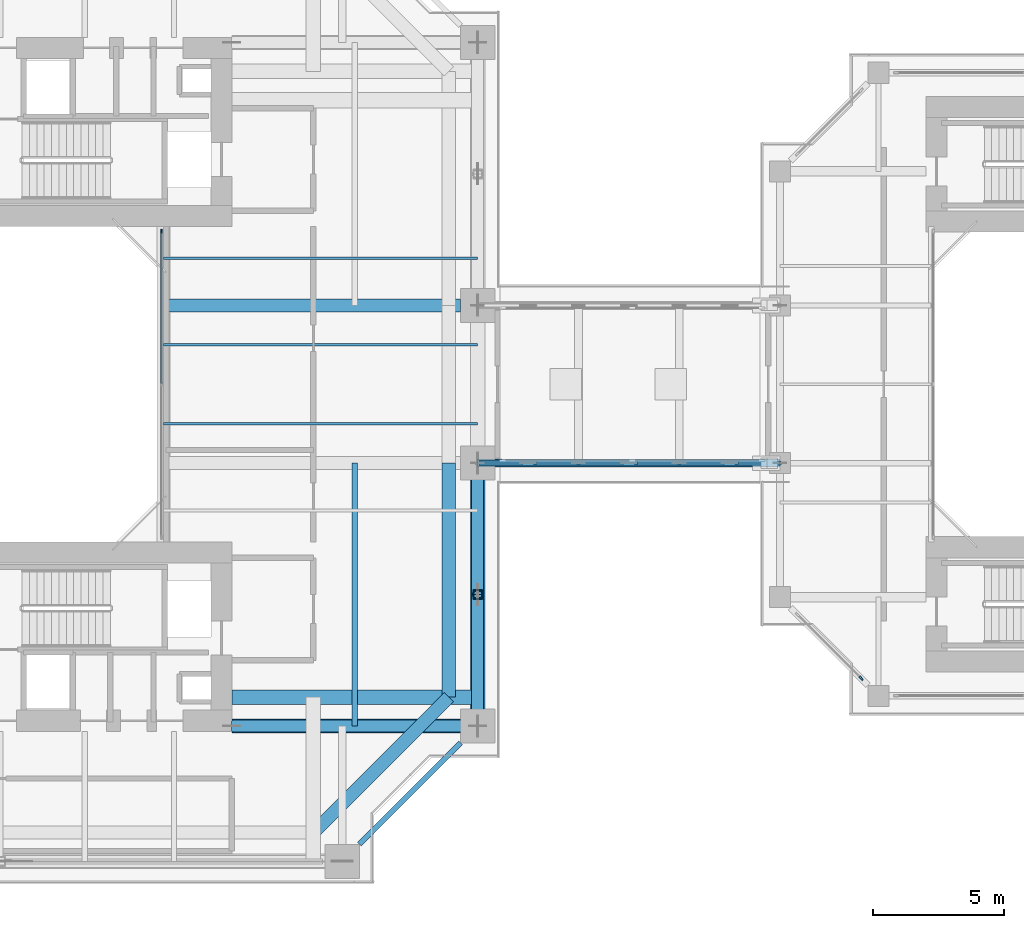
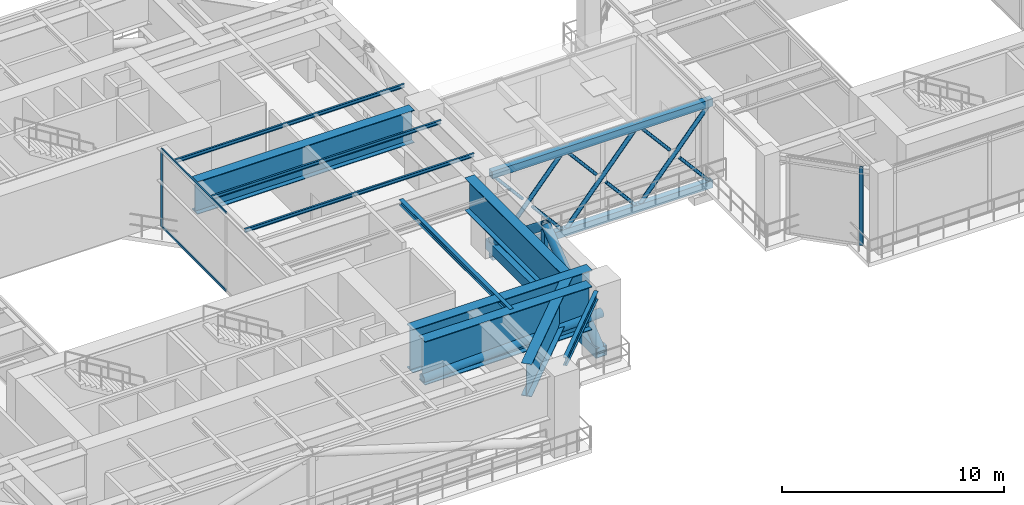
# One storey, part 5 of 25: 20 members, 10 beams, 2 elements without a shape of their own.
"""IFC4 building model written with IfcOpenShell, lengths in metres."""

from ifc_helpers import new_model, si_unit, direction, frame, origin, origin_2d, place, context, subcontext, project, spatial, rectangle, hollow_rectangle, hollow_circle, i_section, extrude, source, transform, mapped, material, layer, layer_set, material_profile, profile_set, type_object, element, aggregate, save


model = new_model("IFC4")

# Units and contexts
model_context = context("Model", 3, precision=1e-05, world=origin(), true_north=direction((0.0, 1.0)))
body_context = subcontext(model_context, "Body", "Model", "MODEL_VIEW")
ifc_project = project(units=[si_unit("LENGTHUNIT", "METRE"), si_unit("AREAUNIT", "SQUARE_METRE"), si_unit("VOLUMEUNIT", "CUBIC_METRE"), si_unit("PLANEANGLEUNIT", "RADIAN"), si_unit("MASSUNIT", "GRAM", prefix="KILO"), si_unit("THERMODYNAMICTEMPERATUREUNIT", "KELVIN"), si_unit("POWERUNIT", "WATT")], contexts=[model_context])

# Site, building, storey
site_placement = place(None, origin())
site = spatial("IfcSite", under=ifc_project, at=site_placement, CompositionType="ELEMENT")
building_placement = place(site_placement, origin())
building = spatial("IfcBuilding", under=site, at=building_placement, Name="Qiaomeng Ring Towers", CompositionType="ELEMENT")
storey_placement = place(building_placement, frame((0.0, 0.0, 92.5)))
storey = spatial("IfcBuildingStorey", under=building, at=storey_placement, Name="L26", CompositionType="ELEMENT", Elevation=92.5)

# Beams
ifc_material_1 = material(Name="Steel Q355B", Category="steel")
ifc_material_profile_1 = material_profile(ifc_material_1, i_section(OverallWidth=0.199951171875, OverallDepth=0.449951171875, WebThickness=0.009033203125, FlangeThickness=0.013916015625, FilletRadius=0.01806640625, at=origin_2d()), Name="HN 450x200x9x14")
ifc_profile_set_1 = profile_set([ifc_material_profile_1], Name="Steel Q355B")
beam_type_1 = type_object("IfcBeamType", Name="STR-BM-HN450", PredefinedType="SPANDREL", material=ifc_profile_set_1)
shared_shape_1 = source(origin(), body_context, "Body", "SweptSolid", [
    extrude(i_section(OverallWidth=0.199951171875, OverallDepth=0.449951171875, WebThickness=0.009033203125, FlangeThickness=0.013916015625, FilletRadius=0.01806640625, at=origin_2d()), origin(), (0.0, 0.0, 1.0), 5.446533203125),
])
beam_1_placement = place(storey_placement, frame((32.6494140625, 5.499267578125, 4.094970703125), z_axis=(0.707106781187, 0.707106781187, 0.0), x_axis=(-0.707106781187, 0.707106781187, 0.0)))
element("IfcBeam", 1, at=beam_1_placement, inside=storey, type_object=beam_type_1, Name="L26 beam STR-SP-L26-T1-S2-E1", PredefinedType="SPANDREL", context=body_context, shape_type="MappedRepresentation", body=[
    mapped(shared_shape_1, transform((0.0, 0.0, 0.0), x_axis=(1.0, 0.0, 0.0), y_axis=(0.0, 1.0, 0.0), z_axis=(0.0, 0.0, 1.0), scale=1.0)),
])
ifc_material_profile_2 = material_profile(ifc_material_1, i_section(OverallWidth=0.10009765625, OverallDepth=0.199951171875, WebThickness=0.005615234375, FlangeThickness=0.008056640625, FilletRadius=0.010986328125, at=origin_2d()), Name="HN 200x100x5.5x8")
ifc_profile_set_2 = profile_set([ifc_material_profile_2], Name="Steel Q355B")
beam_type_2 = type_object("IfcBeamType", Name="STR-BM-HN200", PredefinedType="JOIST", material=ifc_profile_set_2)
shared_shape_2 = source(origin(), body_context, "Body", "SweptSolid", [
    extrude(i_section(OverallWidth=0.10009765625, OverallDepth=0.199951171875, WebThickness=0.005615234375, FlangeThickness=0.008056640625, FilletRadius=0.010986328125, at=origin_2d()), origin(), (0.0, 0.0, 1.0), 11.949951171875),
])
for number, where, z_axis, x_axis, name in (
    (2, (25.199951171875, 21.5, 4.219970703125), (1.0, 0.0, 0.0), (0.0, 1.0, 0.0), "L26 beam STR-JST-L26-T1E-2"),
    (3, (25.199951171875, 24.5, 4.219970703125), (1.0, 0.0, 0.0), (0.0, 1.0, 0.0), "L26 beam STR-JST-L26-T1E-3"),
    (4, (25.199951171875, 27.800048828125, 4.219970703125), (1.0, 0.0, 0.0), (0.0, 1.0, 0.0), "L26 beam STR-JST-L26-T1E-4"),
):
    element("IfcBeam", number, at=place(storey_placement, frame(where, z_axis=z_axis, x_axis=x_axis)), inside=storey, type_object=beam_type_2, Name=name, PredefinedType="JOIST", context=body_context, shape_type="MappedRepresentation", body=[
        mapped(shared_shape_2, transform((0.0, 0.0, 0.0), x_axis=(1.0, 0.0, 0.0), y_axis=(0.0, 1.0, 0.0), z_axis=(0.0, 0.0, 1.0), scale=1.0)),
    ])
ifc_material_profile_3 = material_profile(ifc_material_1, i_section(OverallWidth=0.199951171875, OverallDepth=0.2939453125, WebThickness=0.008056640625, FlangeThickness=0.011962890625, FilletRadius=0.01806640625, at=origin_2d()), Name="HM 294x200x8x12")
ifc_profile_set_3 = profile_set([ifc_material_profile_3], Name="Steel Q355B")
beam_type_3 = type_object("IfcBeamType", Name="STR-BM-HM294", PredefinedType="JOIST", material=ifc_profile_set_3)
shared_shape_3 = source(origin(), body_context, "Body", "SweptSolid", [
    extrude(i_section(OverallWidth=0.199951171875, OverallDepth=0.2939453125, WebThickness=0.008056640625, FlangeThickness=0.011962890625, FilletRadius=0.01806640625, at=origin_2d()), origin(), (0.0, 0.0, 1.0), 10.0),
])
beam_2_placement = place(storey_placement, frame((32.47509765625, 10.0, 4.173095703125), z_axis=(0.0, 1.0, 0.0), x_axis=(-1.0, 0.0, 0.0)))
element("IfcBeam", 5, at=beam_2_placement, inside=storey, type_object=beam_type_3, Name="L26 beam STR-JST-L26-T1C-ES", PredefinedType="JOIST", context=body_context, shape_type="MappedRepresentation", body=[
    mapped(shared_shape_3, transform((0.0, 0.0, 0.0), x_axis=(1.0, 0.0, 0.0), y_axis=(0.0, 1.0, 0.0), z_axis=(0.0, 0.0, 1.0), scale=1.0)),
])

# Members
ifc_material_2 = material(Name="Steel Q390GJC", Category="steel")
ifc_material_profile_4 = material_profile(ifc_material_2, hollow_rectangle(XDim=0.35009765625, YDim=0.35009765625, WallThickness=0.02001953125, at=origin_2d()), Name="SHS 350x350x20")
ifc_profile_set_4 = profile_set([ifc_material_profile_4], Name="Steel Q390GJC")
member_type_1 = type_object("IfcMemberType", Name="STR-MB-POST-350", PredefinedType="POST", material=ifc_profile_set_4)
shared_shape_4 = source(origin(), body_context, "Body", "SweptSolid", [
    extrude(hollow_rectangle(XDim=0.35009765625, YDim=0.35009765625, WallThickness=0.02001953125, at=origin_2d()), origin(), (0.0, 0.0, 1.0), 4.0),
])
member_1_placement = place(storey_placement, frame((37.14990234375, 15.0, 0.320068359375), z_axis=(0.0, 0.0, 1.0), x_axis=(1.0, 0.0, 0.0)))
element("IfcMember", 6, at=member_1_placement, inside=storey, type_object=member_type_1, Name="L26 Belt Truss Post E1-E2", PredefinedType="POST", context=body_context, shape_type="MappedRepresentation", body=[
    mapped(shared_shape_4, transform((0.0, 0.0, 0.0), x_axis=(1.0, 0.0, 0.0), y_axis=(0.0, 1.0, 0.0), z_axis=(0.0, 0.0, 1.0), scale=1.0)),
])
ifc_material_profile_5 = material_profile(ifc_material_2, hollow_rectangle(XDim=0.550048828125, YDim=0.550048828125, WallThickness=0.031982421875, at=origin_2d()), Name="SHS 550x550x32")
ifc_profile_set_5 = profile_set([ifc_material_profile_5], Name="Steel Q390GJC")
member_type_2 = type_object("IfcMemberType", Name="STR-MB-CHORD-550", PredefinedType="CHORD", material=ifc_profile_set_5)
shared_shape_5 = source(origin(), body_context, "Body", "SweptSolid", [
    extrude(hollow_rectangle(XDim=0.550048828125, YDim=0.550048828125, WallThickness=0.031982421875, at=origin_2d()), origin(), (0.0, 0.0, 1.0), 10.0),
])
member_2_placement = place(storey_placement, frame((37.14990234375, 10.0, 0.320068359375), z_axis=(0.0, 1.0, 0.0), x_axis=(-1.0, 0.0, 0.0)))
element("IfcMember", 7, at=member_2_placement, inside=storey, type_object=member_type_2, Name="L26 Belt Truss Bottom Chord E1-E2", PredefinedType="CHORD", context=body_context, shape_type="MappedRepresentation", body=[
    mapped(shared_shape_5, transform((0.0, 0.0, 0.0), x_axis=(1.0, 0.0, 0.0), y_axis=(0.0, 1.0, 0.0), z_axis=(0.0, 0.0, 1.0), scale=1.0)),
])
ifc_material_profile_6 = material_profile(ifc_material_2, hollow_circle(Radius=0.228515625, WallThickness=0.028076171875, at=origin_2d()), Name="CHS 457x28")
ifc_profile_set_6 = profile_set([ifc_material_profile_6], Name="Steel Q390GJC")
member_type_3 = type_object("IfcMemberType", Name="STR-MB-BR-457", PredefinedType="BRACE", material=ifc_profile_set_6)
shared_shape_6 = source(origin(), body_context, "Body", "SweptSolid", [
    extrude(hollow_circle(Radius=0.228515625, WallThickness=0.028076171875, at=origin_2d()), origin(), (0.0, 0.0, 1.0), 6.390625),
])
for number, where, z_axis, x_axis, name in (
    (8, (37.14990234375, 10.0, 0.320068359375), (0.0, 0.782394587595, 0.622783035497), (-1.0, 0.0, 0.0), "L26 Belt Truss Diagonal E1-M"),
    (9, (37.14990234375, 20.0, 0.320068359375), (0.0, -0.782394587595, 0.622783035497), (1.0, 0.0, 0.0), "L26 Belt Truss Diagonal E2-M"),
):
    element("IfcMember", number, at=place(storey_placement, frame(where, z_axis=z_axis, x_axis=x_axis)), inside=storey, type_object=member_type_3, Name=name, PredefinedType="BRACE", context=body_context, shape_type="MappedRepresentation", body=[
        mapped(shared_shape_6, transform((0.0, 0.0, 0.0), x_axis=(1.0, 0.0, 0.0), y_axis=(0.0, 1.0, 0.0), z_axis=(0.0, 0.0, 1.0), scale=1.0)),
    ])

# Beams
ifc_material_profile_7 = material_profile(ifc_material_2, i_section(OverallWidth=0.550048828125, OverallDepth=2.39990234375, WebThickness=0.02587890625, FlangeThickness=0.035888671875, at=origin_2d()), Name="WH 2400x550x26x36")
ifc_profile_set_7 = profile_set([ifc_material_profile_7], Name="Steel Q390GJC")
beam_type_4 = type_object("IfcBeamType", Name="STR-TG-WH2400", PredefinedType="USERDEFINED", material=ifc_profile_set_7)
shared_shape_7 = source(origin(), body_context, "Body", "SweptSolid", [
    extrude(i_section(OverallWidth=0.550048828125, OverallDepth=2.39990234375, WebThickness=0.02587890625, FlangeThickness=0.035888671875, at=origin_2d()), origin(), (0.0, 0.0, 1.0), 8.700927734375),
])
beam_3_placement = place(storey_placement, frame((27.800048828125, 10.0, 3.1201171875), z_axis=(1.0, 0.0, 0.0), x_axis=(0.0, 1.0, 0.0)))
element("IfcBeam", 10, at=beam_3_placement, inside=storey, type_object=beam_type_4, Name="L26 Transfer Girder STR-TG2-L26-E1-CUR", ObjectType="TRANSFER GIRDER", PredefinedType="USERDEFINED", context=body_context, shape_type="MappedRepresentation", body=[
    mapped(shared_shape_7, transform((0.0, 0.0, 0.0), x_axis=(1.0, 0.0, 0.0), y_axis=(0.0, 1.0, 0.0), z_axis=(0.0, 0.0, 1.0), scale=1.0)),
])
shared_shape_8 = source(origin(), body_context, "Body", "SweptSolid", [
    extrude(i_section(OverallWidth=0.550048828125, OverallDepth=2.39990234375, WebThickness=0.02587890625, FlangeThickness=0.035888671875, at=origin_2d()), origin(), (0.0, 0.0, 1.0), 9.349853515625),
])
beam_4_placement = place(storey_placement, frame((27.800048828125, 11.10009765625, 3.1201171875), z_axis=(1.0, 0.0, 0.0), x_axis=(0.0, 1.0, 0.0)))
element("IfcBeam", 11, at=beam_4_placement, inside=storey, type_object=beam_type_4, Name="L26 Transfer Girder STR-TG2-L26-E1-NXT", ObjectType="TRANSFER GIRDER", PredefinedType="USERDEFINED", context=body_context, shape_type="MappedRepresentation", body=[
    mapped(shared_shape_8, transform((0.0, 0.0, 0.0), x_axis=(1.0, 0.0, 0.0), y_axis=(0.0, 1.0, 0.0), z_axis=(0.0, 0.0, 1.0), scale=1.0)),
])
ifc_material_profile_8 = material_profile(ifc_material_2, i_section(OverallWidth=0.5, OverallDepth=1.800048828125, WebThickness=0.02392578125, FlangeThickness=0.035888671875, at=origin_2d()), Name="WH 1800x500x24x36")
ifc_profile_set_8 = profile_set([ifc_material_profile_8], Name="Steel Q390GJC")
beam_type_5 = type_object("IfcBeamType", Name="STR-TG-WH1800", PredefinedType="USERDEFINED", material=ifc_profile_set_8)
shared_shape_9 = source(origin(), body_context, "Body", "SweptSolid", [
    extrude(i_section(OverallWidth=0.5, OverallDepth=1.800048828125, WebThickness=0.02392578125, FlangeThickness=0.035888671875, at=origin_2d()), origin(), (0.0, 0.0, 1.0), 11.301025390625),
])
beam_5_placement = place(storey_placement, frame((25.199951171875, 26.0, 3.419921875), z_axis=(1.0, 0.0, 0.0), x_axis=(0.0, 1.0, 0.0)))
element("IfcBeam", 12, at=beam_5_placement, inside=storey, type_object=beam_type_5, Name="L26 Transfer Girder STR-TG2-L26-E3", ObjectType="TRANSFER GIRDER", PredefinedType="USERDEFINED", context=body_context, shape_type="MappedRepresentation", body=[
    mapped(shared_shape_9, transform((0.0, 0.0, 0.0), x_axis=(1.0, 0.0, 0.0), y_axis=(0.0, 1.0, 0.0), z_axis=(0.0, 0.0, 1.0), scale=1.0)),
])
shared_shape_10 = source(origin(), body_context, "Body", "SweptSolid", [
    extrude(i_section(OverallWidth=0.5, OverallDepth=1.800048828125, WebThickness=0.02392578125, FlangeThickness=0.035888671875, at=origin_2d()), origin(), (0.0, 0.0, 1.0), 7.283447265625),
])
beam_6_placement = place(storey_placement, frame((30.89990234375, 5.949951171875, 3.419921875), z_axis=(0.707106781187, 0.707106781187, 0.0), x_axis=(-0.707106781187, 0.707106781187, 0.0)))
element("IfcBeam", 13, at=beam_6_placement, inside=storey, type_object=beam_type_5, Name="L26 Transfer Girder STR-TG3-L26-S2-E1", ObjectType="TRANSFER GIRDER", PredefinedType="USERDEFINED", context=body_context, shape_type="MappedRepresentation", body=[
    mapped(shared_shape_10, transform((0.0, 0.0, 0.0), x_axis=(1.0, 0.0, 0.0), y_axis=(0.0, 1.0, 0.0), z_axis=(0.0, 0.0, 1.0), scale=1.0)),
])
shared_shape_11 = source(origin(), body_context, "Body", "SweptSolid", [
    extrude(i_section(OverallWidth=0.5, OverallDepth=1.800048828125, WebThickness=0.02392578125, FlangeThickness=0.035888671875, at=origin_2d()), origin(), (0.0, 0.0, 1.0), 8.89990234375),
])
beam_7_placement = place(storey_placement, frame((36.050048828125, 11.10009765625, 3.419921875), z_axis=(0.0, 1.0, 0.0), x_axis=(-1.0, 0.0, 0.0)))
element("IfcBeam", 14, at=beam_7_placement, inside=storey, type_object=beam_type_5, Name="L26 Transfer Girder STR-TG3-L26-E1-E2", ObjectType="TRANSFER GIRDER", PredefinedType="USERDEFINED", context=body_context, shape_type="MappedRepresentation", body=[
    mapped(shared_shape_11, transform((0.0, 0.0, 0.0), x_axis=(1.0, 0.0, 0.0), y_axis=(0.0, 1.0, 0.0), z_axis=(0.0, 0.0, 1.0), scale=1.0)),
])

# Members
shared_shape_12 = source(origin(), body_context, "Body", "SweptSolid", [
    extrude(hollow_circle(Radius=0.228515625, WallThickness=0.028076171875, at=origin_2d()), origin(), (0.0, 0.0, 1.0), 9.3564453125),
])
member_3_placement = place(storey_placement, frame((27.800048828125, 10.0, 2.14990234375), z_axis=(0.999299702771, 0.0, 0.037417964169), x_axis=(0.0, 1.0, 0.0)))
element("IfcMember", 15, at=member_3_placement, inside=storey, type_object=member_type_3, Name="L26 Core Outrigger Truss Diagonal E1", PredefinedType="BRACE", context=body_context, shape_type="MappedRepresentation", body=[
    mapped(shared_shape_12, transform((0.0, 0.0, 0.0), x_axis=(1.0, 0.0, 0.0), y_axis=(0.0, 1.0, 0.0), z_axis=(0.0, 0.0, 1.0), scale=1.0)),
])
ifc_material_profile_9 = material_profile(ifc_material_2, hollow_rectangle(XDim=0.300048828125, YDim=0.39990234375, WallThickness=0.02197265625, at=origin_2d()), Name="RHS 400x300x22")
ifc_profile_set_9 = profile_set([ifc_material_profile_9], Name="Steel Q390GJC")
member_type_4 = type_object("IfcMemberType", Name="STR-MB-CHORD-400", PredefinedType="CHORD", material=ifc_profile_set_9)
shared_shape_13 = source(origin(), body_context, "Body", "SweptSolid", [
    extrude(hollow_rectangle(XDim=0.300048828125, YDim=0.39990234375, WallThickness=0.02197265625, at=origin_2d()), origin(), (0.0, 0.0, 1.0), 11.5),
])
for number, where, z_axis, x_axis, name in (
    (16, (37.14990234375, 20.0, -0.429931640625), (1.0, 0.0, 0.0), (0.0, 1.0, 0.0), "Skybridge Bridge SB2 Primary Bottom Chord S"),
    (17, (37.14990234375, 20.0, 4.070068359375), (1.0, 0.0, 0.0), (0.0, 1.0, 0.0), "Skybridge Bridge SB2 Primary Top Chord S"),
):
    element("IfcMember", number, at=place(storey_placement, frame(where, z_axis=z_axis, x_axis=x_axis)), inside=storey, type_object=member_type_4, Name=name, PredefinedType="CHORD", context=body_context, shape_type="MappedRepresentation", body=[
        mapped(shared_shape_13, transform((0.0, 0.0, 0.0), x_axis=(1.0, 0.0, 0.0), y_axis=(0.0, 1.0, 0.0), z_axis=(0.0, 0.0, 1.0), scale=1.0)),
    ])
ifc_material_profile_10 = material_profile(ifc_material_2, hollow_circle(Radius=0.109619140625, WallThickness=0.011962890625, at=origin_2d()), Name="CHS 219x12")
ifc_profile_set_10 = profile_set([ifc_material_profile_10], Name="Steel Q390GJC")
member_type_5 = type_object("IfcMemberType", Name="STR-MB-BR-219", PredefinedType="BRACE", material=ifc_profile_set_10)
shared_shape_14 = source(origin(), body_context, "Body", "SweptSolid", [
    extrude(hollow_circle(Radius=0.109619140625, WallThickness=0.011962890625, at=origin_2d()), origin(), (0.0, 0.0, 1.0), 5.9111328125),
])
for number, where, z_axis, x_axis, name in (
    (18, (37.14990234375, 20.0, -0.429931640625), (0.64843454317, 0.0, 0.761270413995), (0.0, 1.0, 0.0), "Skybridge Bridge SB2 Truss Diagonal S-1"),
    (19, (44.81689453125, 20.0, -0.429931640625), (0.64843454317, 0.0, 0.761270413995), (0.0, 1.0, 0.0), "Skybridge Bridge SB2 Truss Diagonal S-3"),
):
    element("IfcMember", number, at=place(storey_placement, frame(where, z_axis=z_axis, x_axis=x_axis)), inside=storey, type_object=member_type_5, Name=name, PredefinedType="BRACE", context=body_context, shape_type="MappedRepresentation", body=[
        mapped(shared_shape_14, transform((0.0, 0.0, 0.0), x_axis=(1.0, 0.0, 0.0), y_axis=(0.0, 1.0, 0.0), z_axis=(0.0, 0.0, 1.0), scale=1.0)),
    ])
ifc_material_profile_11 = material_profile(ifc_material_2, hollow_circle(Radius=0.083984375, WallThickness=0.008056640625, at=origin_2d()), Name="CHS 168x8")
ifc_profile_set_11 = profile_set([ifc_material_profile_11], Name="Steel Q390GJC")
member_type_6 = type_object("IfcMemberType", Name="STR-MB-BR-168", PredefinedType="BRACE", material=ifc_profile_set_11)
shared_shape_15 = source(origin(), body_context, "Body", "SweptSolid", [
    extrude(hollow_circle(Radius=0.083984375, WallThickness=0.008056640625, at=origin_2d()), origin(), (0.0, 0.0, 1.0), 2.541748046875),
])
for number, where, z_axis, x_axis, name in (
    (20, (40.98291015625, 20.0, -0.429931640625), (-0.648470578799, 0.0, 0.761239718113), (0.0, -1.0, 0.0), "Skybridge Bridge SB2 Split X-Brace Lower S-1"),
    (21, (38.798095703125, 20.0, 2.135009765625), (-0.648423164028, 0.0, 0.761280106368), (0.0, -1.0, 0.0), "Skybridge Bridge SB2 Split X-Brace Upper S-1"),
    (22, (44.81689453125, 20.0, -0.429931640625), (-0.648526236398, 0.0, 0.761192302052), (0.0, -1.0, 0.0), "Skybridge Bridge SB2 Split X-Brace Lower S-2"),
    (23, (48.64990234375, 20.0, -0.429931640625), (-0.648470578799, 0.0, 0.761239718113), (0.0, -1.0, 0.0), "Skybridge Bridge SB2 Split X-Brace Lower S-3"),
    (24, (46.465087890625, 20.0, 2.135009765625), (-0.648423164028, 0.0, 0.761280106368), (0.0, -1.0, 0.0), "Skybridge Bridge SB2 Split X-Brace Upper S-3"),
):
    element("IfcMember", number, at=place(storey_placement, frame(where, z_axis=z_axis, x_axis=x_axis)), inside=storey, type_object=member_type_6, Name=name, PredefinedType="BRACE", context=body_context, shape_type="MappedRepresentation", body=[
        mapped(shared_shape_15, transform((0.0, 0.0, 0.0), x_axis=(1.0, 0.0, 0.0), y_axis=(0.0, 1.0, 0.0), z_axis=(0.0, 0.0, 1.0), scale=1.0)),
    ])
shared_shape_16 = source(origin(), body_context, "Body", "SweptSolid", [
    extrude(hollow_circle(Radius=0.109619140625, WallThickness=0.011962890625, at=origin_2d()), origin(), (0.0, 0.0, 1.0), 5.911865234375),
])
member_4_placement = place(storey_placement, frame((40.98291015625, 20.0, -0.429931640625), z_axis=(0.648530270204, 0.0, 0.761188865282), x_axis=(0.0, 1.0, 0.0)))
element("IfcMember", 25, at=member_4_placement, inside=storey, type_object=member_type_5, Name="Skybridge Bridge SB2 Truss Diagonal S-2", PredefinedType="BRACE", context=body_context, shape_type="MappedRepresentation", body=[
    mapped(shared_shape_16, transform((0.0, 0.0, 0.0), x_axis=(1.0, 0.0, 0.0), y_axis=(0.0, 1.0, 0.0), z_axis=(0.0, 0.0, 1.0), scale=1.0)),
])
shared_shape_17 = source(origin(), body_context, "Body", "SweptSolid", [
    extrude(hollow_circle(Radius=0.083984375, WallThickness=0.008056640625, at=origin_2d()), origin(), (0.0, 0.0, 1.0), 2.542236328125),
])
member_5_placement = place(storey_placement, frame((42.631591796875, 20.0, 2.135009765625), z_axis=(-0.648534472502, 0.0, 0.761185284918), x_axis=(0.0, -1.0, 0.0)))
element("IfcMember", 26, at=member_5_placement, inside=storey, type_object=member_type_6, Name="Skybridge Bridge SB2 Split X-Brace Upper S-2", PredefinedType="BRACE", context=body_context, shape_type="MappedRepresentation", body=[
    mapped(shared_shape_17, transform((0.0, 0.0, 0.0), x_axis=(1.0, 0.0, 0.0), y_axis=(0.0, 1.0, 0.0), z_axis=(0.0, 0.0, 1.0), scale=1.0)),
])

# Curtain wall, members
ifc_material_3 = material(Name="Fluorocarbon dark-grey aluminium", Category="aluminium")
ifc_layer_1 = layer(ifc_material_3, 0.139892578125, Name="Fluorocarbon dark-grey aluminium")
ifc_layer_set_1 = layer_set([ifc_layer_1], Name="Fluorocarbon dark-grey aluminium")
curtain_wall_type_1 = type_object("IfcCurtainWallType", Name="ARC-CW-4", PredefinedType="NOTDEFINED", material=ifc_layer_set_1)
curtain_wall_1_placement = place(storey_placement, origin())
curtain_wall_1 = element("IfcCurtainWall", 27, at=curtain_wall_1_placement, inside=storey, type_object=curtain_wall_type_1, Name="L26 Curtain Wall CW4", PredefinedType="NOTDEFINED")
ifc_material_profile_12 = material_profile(ifc_material_3, rectangle(XDim=0.06494140625, YDim=0.1298828125, at=origin_2d()), Name="ALU TRAN 65x130")
ifc_profile_set_12 = profile_set([ifc_material_profile_12], Name="Fluorocarbon dark-grey aluminium")
member_type_7 = type_object("IfcMemberType", Name="ARC-CWT-120", PredefinedType="USERDEFINED", material=ifc_profile_set_12)
shared_shape_18 = source(origin(), body_context, "Body", "SweptSolid", [
    extrude(rectangle(XDim=0.06494140625, YDim=0.1298828125, at=origin_2d()), origin(), (0.0, 0.0, 1.0), 5.75244140625),
])
member_6_placement = place(storey_placement, frame((25.1201171875, 23.032470703125, 0.032470703125), z_axis=(0.0, 1.0, 0.0), x_axis=(-1.0, 0.0, 0.0)))
member_6 = element("IfcMember", 28, at=member_6_placement, type_object=member_type_7, Name="CW4 transom 2.1", ObjectType="TRANSOM", PredefinedType="USERDEFINED", context=body_context, shape_type="MappedRepresentation", body=[
    mapped(shared_shape_18, transform((0.0, 0.0, 0.0), x_axis=(1.0, 0.0, 0.0), y_axis=(0.0, 1.0, 0.0), z_axis=(0.0, 0.0, 1.0), scale=1.0)),
])
member_7_placement = place(storey_placement, frame((25.1201171875, 23.032470703125, 4.28759765625), z_axis=(0.0, 1.0, 0.0), x_axis=(-1.0, 0.0, 0.0)))
member_7 = element("IfcMember", 29, at=member_7_placement, type_object=member_type_7, Name="CW4 transom 2.2", ObjectType="TRANSOM", PredefinedType="USERDEFINED", context=body_context, shape_type="MappedRepresentation", body=[
    mapped(shared_shape_18, transform((0.0, 0.0, 0.0), x_axis=(1.0, 0.0, 0.0), y_axis=(0.0, 1.0, 0.0), z_axis=(0.0, 0.0, 1.0), scale=1.0)),
])
ifc_material_profile_13 = material_profile(ifc_material_3, rectangle(XDim=0.06494140625, YDim=0.159912109375, at=origin_2d()), Name="ALU MULL 65x160")
ifc_profile_set_13 = profile_set([ifc_material_profile_13], Name="Fluorocarbon dark-grey aluminium")
member_type_8 = type_object("IfcMemberType", Name="ARC-CWM-140", PredefinedType="MULLION", material=ifc_profile_set_13)
shared_shape_19 = source(origin(), body_context, "Body", "SweptSolid", [
    extrude(rectangle(XDim=0.06494140625, YDim=0.159912109375, at=origin_2d()), origin(), (0.0, 0.0, 1.0), 4.320068359375),
])
member_8_placement = place(storey_placement, frame((25.1201171875, 28.8173828125, 0.0), z_axis=(0.0, 0.0, 1.0), x_axis=(-1.0, 0.0, 0.0)))
member_8 = element("IfcMember", 30, at=member_8_placement, type_object=member_type_8, Name="CW4 mullion 3", PredefinedType="MULLION", context=body_context, shape_type="MappedRepresentation", body=[
    mapped(shared_shape_19, transform((0.0, 0.0, 0.0), x_axis=(1.0, 0.0, 0.0), y_axis=(0.0, 1.0, 0.0), z_axis=(0.0, 0.0, 1.0), scale=1.0)),
])
aggregate(curtain_wall_1, [member_8, member_6, member_7])

# Curtain wall, member
ifc_layer_2 = layer(ifc_material_3, 0.14990234375, Name="Fluorocarbon dark-grey aluminium")
ifc_layer_set_2 = layer_set([ifc_layer_2], Name="Fluorocarbon dark-grey aluminium")
curtain_wall_type_2 = type_object("IfcCurtainWallType", Name="ARC-CW-5", PredefinedType="NOTDEFINED", material=ifc_layer_set_2)
curtain_wall_2_placement = place(storey_placement, origin())
curtain_wall_2 = element("IfcCurtainWall", 31, at=curtain_wall_2_placement, inside=storey, type_object=curtain_wall_type_2, Name="L26 Curtain Wall CW5", PredefinedType="NOTDEFINED")
ifc_material_profile_14 = material_profile(ifc_material_3, rectangle(XDim=0.070068359375, YDim=0.179931640625, at=origin_2d()), Name="ALU MULL 70x180")
ifc_profile_set_14 = profile_set([ifc_material_profile_14], Name="Fluorocarbon dark-grey aluminium")
member_type_9 = type_object("IfcMemberType", Name="ARC-CWM-160", PredefinedType="MULLION", material=ifc_profile_set_14)
shared_shape_20 = source(origin(), body_context, "Body", "SweptSolid", [
    extrude(rectangle(XDim=0.070068359375, YDim=0.179931640625, at=origin_2d()), origin(), (0.0, 0.0, 1.0), 4.320068359375),
])
member_9_placement = place(storey_placement, frame((51.7353515625, 11.814697265625, 0.0), z_axis=(0.0, 0.0, 1.0), x_axis=(0.707106781187, 0.707106781187, 0.0)))
member_9 = element("IfcMember", 32, at=member_9_placement, type_object=member_type_9, Name="CW5 mullion 2", PredefinedType="MULLION", context=body_context, shape_type="MappedRepresentation", body=[
    mapped(shared_shape_20, transform((0.0, 0.0, 0.0), x_axis=(1.0, 0.0, 0.0), y_axis=(0.0, 1.0, 0.0), z_axis=(0.0, 0.0, 1.0), scale=1.0)),
])
aggregate(curtain_wall_2, [member_9])

save(model, "model.ifc")
